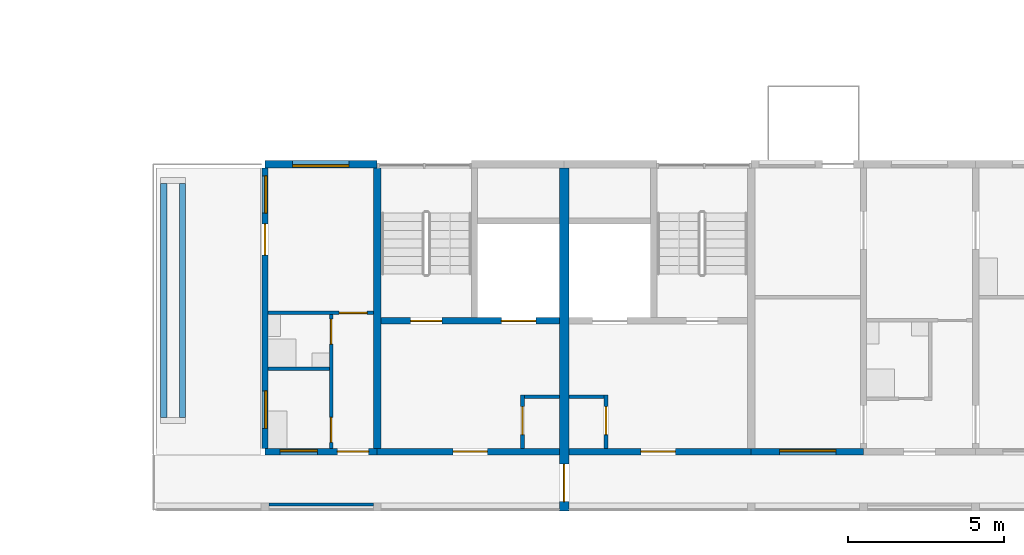
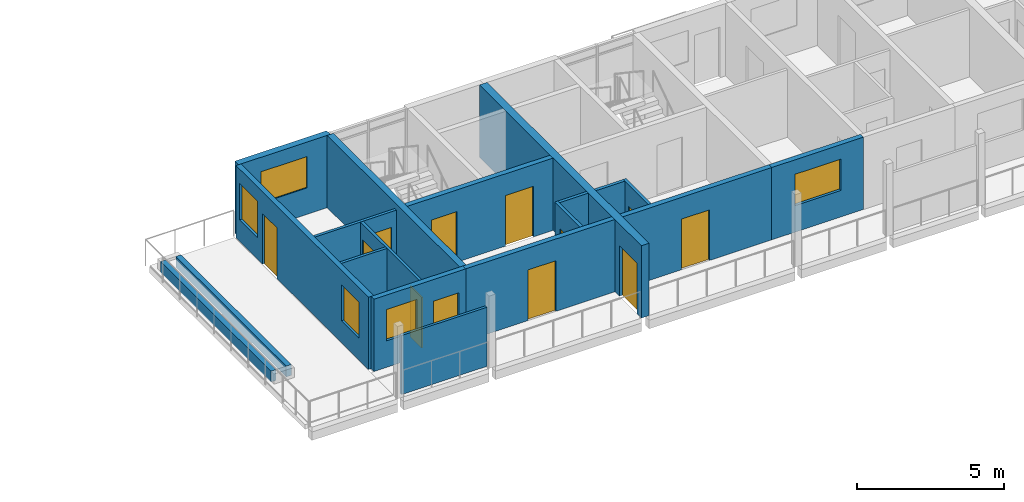
# One storey, part 40 of 78: 19 walls, 12 doors, 5 windows, 17 openings.
"""IFC4 building model written with IfcOpenShell, lengths in metres."""

from ifc_helpers import new_model, si_unit, direction, frame, frame_2d, origin, place, context, subcontext, project, spatial, rectangle, extrude, material, layer, layer_set, type_object, element, fill, save


model = new_model("IFC4")

# Units and contexts
model_context = context("Model", 3, precision=1e-05, world=origin(), true_north=direction((0.0, 1.0)))
body_context = subcontext(model_context, "Body", "Model", "MODEL_VIEW")
ifc_project = project(units=[si_unit("LENGTHUNIT", "METRE"), si_unit("AREAUNIT", "SQUARE_METRE"), si_unit("VOLUMEUNIT", "CUBIC_METRE"), si_unit("PLANEANGLEUNIT", "RADIAN"), si_unit("MASSUNIT", "GRAM", prefix="KILO")], contexts=[model_context])

# Site, building, storey
site_placement = place(None, origin())
site = spatial("IfcSite", under=ifc_project, at=site_placement, CompositionType="ELEMENT")
building_placement = place(site_placement, origin())
building = spatial("IfcBuilding", under=site, at=building_placement, Name="Ridgestep Commons", CompositionType="ELEMENT")
storey_placement = place(building_placement, frame((0.0, 0.0, 30.0)))
storey = spatial("IfcBuildingStorey", under=building, at=storey_placement, Name="L10", CompositionType="ELEMENT", Elevation=30.0)

# Wall
ifc_material_1 = material(Name="Concrete C30/37", Category="concrete")
ifc_layer_1 = layer(ifc_material_1, 0.25)
ifc_layer_set_1 = layer_set([ifc_layer_1], Name="Core cross wall 250")
wall_type_1 = type_object("IfcWallType", Name="Core cross wall 250", PredefinedType="SHEAR", material=ifc_layer_set_1)
wall_1_placement = place(storey_placement, frame((157.60009765625, 13.75, 0.0), z_axis=(0.0, 0.0, 1.0), x_axis=(0.0, 1.0, 0.0)))
element("IfcWall", 1, at=wall_1_placement, inside=storey, type_object=wall_type_1, Name="Cross wall D-10-1576", PredefinedType="SHEAR", context=body_context, shape_type="SweptSolid", body=[
    extrude(rectangle(XDim=9.0, YDim=0.25, at=frame_2d((4.5, 0.0))), origin(), (0.0, 0.0, 1.0), 3.0),
])

# Wall, opening, door
ifc_material_2 = material(Name="Concrete C30/37", Category="concrete")
ifc_layer_2 = layer(ifc_material_2, 0.199951171875)
ifc_layer_set_2 = layer_set([ifc_layer_2], Name="Core south wall 200")
wall_type_2 = type_object("IfcWallType", Name="Core south wall 200", PredefinedType="SHEAR", material=ifc_layer_set_2)
wall_2_placement = place(storey_placement, frame((157.60009765625, 13.64990234375, 0.0), z_axis=(0.0, 0.0, 1.0), x_axis=(1.0, 0.0, 0.0)))
wall_2 = element("IfcWall", 2, at=wall_2_placement, inside=storey, type_object=wall_type_2, Name="Core south wall D1C L10", PredefinedType="SHEAR", context=body_context, shape_type="SweptSolid", body=[
    extrude(rectangle(XDim=5.849853515625, YDim=0.199951171875, at=frame_2d((2.9248046875, 0.0))), origin(), (0.0, 0.0, 1.0), 3.0),
])
opening_1_placement = place(wall_2_placement, frame((2.4375, 0.0, 0.0)))
opening_1 = element("IfcOpeningElement", 3, at=opening_1_placement, cuts=wall_2, Name="Opening D1C/10/1", PredefinedType="OPENING", context=body_context, shape_type="SweptSolid", body=[
    extrude(rectangle(XDim=1.10009765625, YDim=2.10009765625, at=frame_2d((0.550048828125, 1.050048828125))), frame((0.0, 0.10986328125, 0.0), z_axis=(0.0, -1.0, 0.0), x_axis=(1.0, 0.0, 0.0)), (0.0, 0.0, 1.0), 0.219970703125),
])
ifc_material_3 = material(Name="Steel fire door", Category="steel")
door_type_1 = type_object("IfcDoorType", Name="Lobby door 1100 x 2100 FD60", OperationType="NOTDEFINED", PredefinedType="DOOR", material=ifc_material_3)
door_1_placement = place(opening_1_placement, origin())
door_1 = element("IfcDoor", 4, at=door_1_placement, inside=storey, type_object=door_type_1, Name="Lobby door D1C/10/1", OperationType="SINGLE_SWING_LEFT", OverallHeight=2.10009765625, OverallWidth=1.10009765625, PredefinedType="DOOR", context=body_context, shape_type="SweptSolid", body=[
    extrude(rectangle(XDim=1.10009765625, YDim=2.10009765625, at=frame_2d((0.550048828125, 1.050048828125))), frame((0.0, 0.02490234375, 0.0), z_axis=(0.0, -1.0, 0.0), x_axis=(1.0, 0.0, 0.0)), (0.0, 0.0, 1.0), 0.050048828125),
])
fill(opening_1, door_1)

wall_3_placement = place(storey_placement, frame((163.75, 13.64990234375, 0.0), z_axis=(0.0, 0.0, 1.0), x_axis=(1.0, 0.0, 0.0)))
wall_3 = element("IfcWall", 5, at=wall_3_placement, inside=storey, type_object=wall_type_2, Name="Core south wall D2C L10", PredefinedType="SHEAR", context=body_context, shape_type="SweptSolid", body=[
    extrude(rectangle(XDim=5.85009765625, YDim=0.199951171875, at=frame_2d((2.925048828125, 0.0))), origin(), (0.0, 0.0, 1.0), 3.0),
])
opening_2_placement = place(wall_3_placement, frame((2.3125, 0.0, 0.0)))
opening_2 = element("IfcOpeningElement", 6, at=opening_2_placement, cuts=wall_3, Name="Opening D2C/10/1", PredefinedType="OPENING", context=body_context, shape_type="SweptSolid", body=[
    extrude(rectangle(XDim=1.10009765625, YDim=2.10009765625, at=frame_2d((0.550048828125, 1.050048828125))), frame((0.0, 0.10986328125, 0.0), z_axis=(0.0, -1.0, 0.0), x_axis=(1.0, 0.0, 0.0)), (0.0, 0.0, 1.0), 0.219970703125),
])
door_2_placement = place(opening_2_placement, origin())
door_2 = element("IfcDoor", 7, at=door_2_placement, inside=storey, type_object=door_type_1, Name="Lobby door D2C/10/1", OperationType="SINGLE_SWING_LEFT", OverallHeight=2.10009765625, OverallWidth=1.10009765625, PredefinedType="DOOR", context=body_context, shape_type="SweptSolid", body=[
    extrude(rectangle(XDim=1.10009765625, YDim=2.10009765625, at=frame_2d((0.550048828125, 1.050048828125))), frame((0.0, 0.02490234375, 0.0), z_axis=(0.0, -1.0, 0.0), x_axis=(1.0, 0.0, 0.0)), (0.0, 0.0, 1.0), 0.050048828125),
])
fill(opening_2, door_2)

ifc_material_4 = material(Name="Concrete C30/37", Category="concrete")
ifc_layer_3 = layer(ifc_material_4, 0.1201171875)
ifc_layer_set_3 = layer_set([ifc_layer_3], Name="Core wall 120")
wall_type_3 = type_object("IfcWallType", Name="Core wall 120", PredefinedType="SHEAR", material=ifc_layer_set_3)
wall_4_placement = place(storey_placement, frame((162.260009765625, 13.75, 0.0), z_axis=(0.0, 0.0, 1.0), x_axis=(0.0, 1.0, 0.0)))
wall_4 = element("IfcWall", 8, at=wall_4_placement, inside=storey, type_object=wall_type_3, Name="Core riser w wall D1C L10", PredefinedType="SHEAR", context=body_context, shape_type="SweptSolid", body=[
    extrude(rectangle(XDim=1.719970703125, YDim=0.1201171875, at=frame_2d((0.85986328125, 0.0))), origin(), (0.0, 0.0, 1.0), 3.0),
])
opening_3_placement = place(wall_4_placement, frame((0.449951171875, 0.0, 0.0)))
opening_3 = element("IfcOpeningElement", 9, at=opening_3_placement, cuts=wall_4, Name="Opening D1C/10/4", PredefinedType="OPENING", context=body_context, shape_type="SweptSolid", body=[
    extrude(rectangle(XDim=0.89990234375, YDim=2.10009765625, at=frame_2d((0.449951171875, 1.050048828125))), frame((0.0, 0.070068359375, 0.0), z_axis=(0.0, -1.0, 0.0), x_axis=(1.0, 0.0, 0.0)), (0.0, 0.0, 1.0), 0.14013671875),
])
ifc_material_5 = material(Name="Steel fire door", Category="steel")
door_type_2 = type_object("IfcDoorType", Name="Riser door 900 x 2100 FD60", OperationType="NOTDEFINED", PredefinedType="DOOR", material=ifc_material_5)
door_3_placement = place(opening_3_placement, origin())
door_3 = element("IfcDoor", 10, at=door_3_placement, inside=storey, type_object=door_type_2, Name="Riser door D1C/10/4", OperationType="SINGLE_SWING_LEFT", OverallHeight=2.10009765625, OverallWidth=0.89990234375, PredefinedType="DOOR", context=body_context, shape_type="SweptSolid", body=[
    extrude(rectangle(XDim=0.89990234375, YDim=2.10009765625, at=frame_2d((0.449951171875, 1.050048828125))), frame((0.0, 0.02490234375, 0.0), z_axis=(0.0, -1.0, 0.0), x_axis=(1.0, 0.0, 0.0)), (0.0, 0.0, 1.0), 0.050048828125),
])
fill(opening_3, door_3)

# Wall
wall_5_placement = place(storey_placement, frame((162.320068359375, 15.409912109375, 0.0), z_axis=(0.0, 0.0, 1.0), x_axis=(1.0, 0.0, 0.0)))
element("IfcWall", 11, at=wall_5_placement, inside=storey, type_object=wall_type_3, Name="Core riser n wall D1C L10", PredefinedType="SHEAR", context=body_context, shape_type="SweptSolid", body=[
    extrude(rectangle(XDim=1.1298828125, YDim=0.1201171875, at=frame_2d((0.56494140625, 0.0))), origin(), (0.0, 0.0, 1.0), 3.0),
])

# Wall, opening, door
wall_6_placement = place(storey_placement, frame((164.93994140625, 13.75, 0.0), z_axis=(0.0, 0.0, 1.0), x_axis=(0.0, 1.0, 0.0)))
wall_6 = element("IfcWall", 12, at=wall_6_placement, inside=storey, type_object=wall_type_3, Name="Core riser w wall D2C L10", PredefinedType="SHEAR", context=body_context, shape_type="SweptSolid", body=[
    extrude(rectangle(XDim=1.719970703125, YDim=0.1201171875, at=frame_2d((0.85986328125, 0.0))), origin(), (0.0, 0.0, 1.0), 3.0),
])
opening_4_placement = place(wall_6_placement, frame((0.449951171875, 0.0, 0.0)))
opening_4 = element("IfcOpeningElement", 13, at=opening_4_placement, cuts=wall_6, Name="Opening D2C/10/4", PredefinedType="OPENING", context=body_context, shape_type="SweptSolid", body=[
    extrude(rectangle(XDim=0.89990234375, YDim=2.10009765625, at=frame_2d((0.449951171875, 1.050048828125))), frame((0.0, 0.070068359375, 0.0), z_axis=(0.0, -1.0, 0.0), x_axis=(1.0, 0.0, 0.0)), (0.0, 0.0, 1.0), 0.14013671875),
])
door_4_placement = place(opening_4_placement, origin())
door_4 = element("IfcDoor", 14, at=door_4_placement, inside=storey, type_object=door_type_2, Name="Riser door D2C/10/4", OperationType="SINGLE_SWING_RIGHT", OverallHeight=2.10009765625, OverallWidth=0.89990234375, PredefinedType="DOOR", context=body_context, shape_type="SweptSolid", body=[
    extrude(rectangle(XDim=0.89990234375, YDim=2.10009765625, at=frame_2d((0.449951171875, 1.050048828125))), frame((0.0, 0.02490234375, 0.0), z_axis=(0.0, -1.0, 0.0), x_axis=(1.0, 0.0, 0.0)), (0.0, 0.0, 1.0), 0.050048828125),
])
fill(opening_4, door_4)

# Wall
wall_7_placement = place(storey_placement, frame((163.75, 15.409912109375, 0.0), z_axis=(0.0, 0.0, 1.0), x_axis=(1.0, 0.0, 0.0)))
element("IfcWall", 15, at=wall_7_placement, inside=storey, type_object=wall_type_3, Name="Core riser n wall D2C L10", PredefinedType="SHEAR", context=body_context, shape_type="SweptSolid", body=[
    extrude(rectangle(XDim=1.1298828125, YDim=0.1201171875, at=frame_2d((0.56494140625, 0.0))), origin(), (0.0, 0.0, 1.0), 3.0),
])

# Wall, openings, doors
ifc_material_6 = material(Name="Concrete C30/37", Category="concrete")
ifc_layer_4 = layer(ifc_material_6, 0.199951171875)
ifc_layer_set_4 = layer_set([ifc_layer_4], Name="Core wall 200")
wall_type_4 = type_object("IfcWallType", Name="Core wall 200", PredefinedType="SHEAR", material=ifc_layer_set_4)
wall_8_placement = place(storey_placement, frame((157.72509765625, 17.85009765625, 0.0), z_axis=(0.0, 0.0, 1.0), x_axis=(1.0, 0.0, 0.0)))
wall_8 = element("IfcWall", 16, at=wall_8_placement, inside=storey, type_object=wall_type_4, Name="Core lobby wall D1C L10", PredefinedType="SHEAR", context=body_context, shape_type="SweptSolid", body=[
    extrude(rectangle(XDim=5.724853515625, YDim=0.199951171875, at=frame_2d((2.8623046875, 0.0))), origin(), (0.0, 0.0, 1.0), 3.0),
])
opening_5_placement = place(wall_8_placement, frame((0.949951171875, 0.0, 0.0)))
opening_5 = element("IfcOpeningElement", 17, at=opening_5_placement, cuts=wall_8, Name="Opening D1C/10/2", PredefinedType="OPENING", context=body_context, shape_type="SweptSolid", body=[
    extrude(rectangle(XDim=1.0, YDim=2.10009765625, at=frame_2d((0.5, 1.050048828125))), frame((0.0, 0.10986328125, 0.0), z_axis=(0.0, -1.0, 0.0), x_axis=(1.0, 0.0, 0.0)), (0.0, 0.0, 1.0), 0.219970703125),
])
opening_6_placement = place(wall_8_placement, frame((3.862548828125, 0.0, 0.0)))
opening_6 = element("IfcOpeningElement", 18, at=opening_6_placement, cuts=wall_8, Name="Opening D1C/10/3", PredefinedType="OPENING", context=body_context, shape_type="SweptSolid", body=[
    extrude(rectangle(XDim=1.10009765625, YDim=2.10009765625, at=frame_2d((0.550048828125, 1.050048828125))), frame((0.0, 0.10986328125, 0.0), z_axis=(0.0, -1.0, 0.0), x_axis=(1.0, 0.0, 0.0)), (0.0, 0.0, 1.0), 0.219970703125),
])
ifc_material_7 = material(Name="Stainless steel", Category="steel")
door_type_3 = type_object("IfcDoorType", Name="Lift landing door 1100 x 2100 FD60", OperationType="DOUBLE_DOOR_SLIDING", PredefinedType="DOOR", material=ifc_material_7)
door_5_placement = place(opening_6_placement, origin())
door_5 = element("IfcDoor", 19, at=door_5_placement, inside=storey, type_object=door_type_3, Name="Landing door LD D1C L10", OperationType="DOUBLE_DOOR_SLIDING", OverallHeight=2.10009765625, OverallWidth=1.10009765625, PredefinedType="DOOR", context=body_context, shape_type="SweptSolid", body=[
    extrude(rectangle(XDim=1.10009765625, YDim=2.10009765625, at=frame_2d((0.550048828125, 1.050048828125))), frame((0.0, 0.02490234375, 0.0), z_axis=(0.0, -1.0, 0.0), x_axis=(1.0, 0.0, 0.0)), (0.0, 0.0, 1.0), 0.050048828125),
])
fill(opening_6, door_5)
ifc_material_8 = material(Name="Steel fire door", Category="steel")
door_type_4 = type_object("IfcDoorType", Name="Stair door 1000 x 2100 FD60", OperationType="NOTDEFINED", PredefinedType="DOOR", material=ifc_material_8)
door_6_placement = place(opening_5_placement, origin())
door_6 = element("IfcDoor", 20, at=door_6_placement, inside=storey, type_object=door_type_4, Name="Stair door D1C/10/2", OperationType="SINGLE_SWING_RIGHT", OverallHeight=2.10009765625, OverallWidth=1.0, PredefinedType="DOOR", context=body_context, shape_type="SweptSolid", body=[
    extrude(rectangle(XDim=1.0, YDim=2.10009765625, at=frame_2d((0.5, 1.050048828125))), frame((0.0, 0.02490234375, 0.0), z_axis=(0.0, -1.0, 0.0), x_axis=(1.0, 0.0, 0.0)), (0.0, 0.0, 1.0), 0.050048828125),
])
fill(opening_5, door_6)

# Wall, opening, door
ifc_material_9 = material(Name="Precast concrete C40/50", Category="concrete")
ifc_layer_5 = layer(ifc_material_9, 0.300048828125)
ifc_layer_set_5 = layer_set([ifc_layer_5], Name="Division wall 300")
wall_type_5 = type_object("IfcWallType", Name="Division wall 300", PredefinedType="SHEAR", material=ifc_layer_set_5)
wall_9_placement = place(storey_placement, frame((163.60009765625, 11.75, 0.0), z_axis=(0.0, 0.0, 1.0), x_axis=(0.0, 1.0, 0.0)))
wall_9 = element("IfcWall", 21, at=wall_9_placement, inside=storey, type_object=wall_type_5, Name="Cross wall D-10-1636", PredefinedType="SHEAR", context=body_context, shape_type="SweptSolid", body=[
    extrude(rectangle(XDim=11.0, YDim=0.300048828125, at=frame_2d((5.5, 0.0))), origin(), (0.0, 0.0, 1.0), 3.0),
])
opening_7_placement = place(wall_9_placement, frame((0.300048828125, 0.0, 0.0)))
opening_7 = element("IfcOpeningElement", 22, at=opening_7_placement, cuts=wall_9, Name="Opening D/10/G1636", PredefinedType="OPENING", context=body_context, shape_type="SweptSolid", body=[
    extrude(rectangle(XDim=1.199951171875, YDim=2.10009765625, at=frame_2d((0.60009765625, 1.050048828125))), frame((0.0, 0.159912109375, 0.0), z_axis=(0.0, -1.0, 0.0), x_axis=(1.0, 0.0, 0.0)), (0.0, 0.0, 1.0), 0.320068359375),
])
ifc_material_10 = material(Name="Steel fire door", Category="steel")
door_type_5 = type_object("IfcDoorType", Name="Division fire door 1200 x 2100 EI 240", OperationType="DOUBLE_DOOR_SINGLE_SWING", PredefinedType="DOOR", material=ifc_material_10)
door_7_placement = place(opening_7_placement, origin())
door_7 = element("IfcDoor", 23, at=door_7_placement, inside=storey, type_object=door_type_5, Name="Division fire door D/10/G1636", OperationType="DOUBLE_DOOR_SINGLE_SWING", OverallHeight=2.10009765625, OverallWidth=1.199951171875, PredefinedType="DOOR", context=body_context, shape_type="SweptSolid", body=[
    extrude(rectangle(XDim=1.199951171875, YDim=2.10009765625, at=frame_2d((0.60009765625, 1.050048828125))), frame((0.0, 0.02490234375, 0.0), z_axis=(0.0, -1.0, 0.0), x_axis=(1.0, 0.0, 0.0)), (0.0, 0.0, 1.0), 0.050048828125),
])
fill(opening_7, door_7)

# Wall, openings, windows, door
ifc_material_11 = material(Name="Precast concrete C40/50", Category="concrete")
ifc_layer_6 = layer(ifc_material_11, 0.199951171875)
ifc_layer_set_6 = layer_set([ifc_layer_6], Name="Exposed cross wall 200")
wall_type_6 = type_object("IfcWallType", Name="Exposed cross wall 200", PredefinedType="SHEAR", material=ifc_layer_set_6)
wall_10_placement = place(storey_placement, frame((154.0, 13.75, 0.0), z_axis=(0.0, 0.0, 1.0), x_axis=(0.0, 1.0, 0.0)))
wall_10 = element("IfcWall", 24, at=wall_10_placement, inside=storey, type_object=wall_type_6, Name="Cross wall D-10-1540", PredefinedType="SHEAR", context=body_context, shape_type="SweptSolid", body=[
    extrude(rectangle(XDim=9.0, YDim=0.199951171875, at=frame_2d((4.5, 0.0))), origin(), (0.0, 0.0, 1.0), 3.0),
])
opening_8_placement = place(wall_10_placement, frame((0.64990234375, 0.0, 0.89990234375)))
opening_8 = element("IfcOpeningElement", 25, at=opening_8_placement, cuts=wall_10, Name="Opening W10", PredefinedType="OPENING", context=body_context, shape_type="SweptSolid", body=[
    extrude(rectangle(XDim=1.199951171875, YDim=1.5, at=frame_2d((0.60009765625, 0.75))), frame((0.0, 0.10986328125, 0.0), z_axis=(0.0, -1.0, 0.0), x_axis=(1.0, 0.0, 0.0)), (0.0, 0.0, 1.0), 0.219970703125),
])
opening_9_placement = place(wall_10_placement, frame((7.552490234375, 0.0, 0.89990234375)))
opening_9 = element("IfcOpeningElement", 26, at=opening_9_placement, cuts=wall_10, Name="Opening W10", PredefinedType="OPENING", context=body_context, shape_type="SweptSolid", body=[
    extrude(rectangle(XDim=1.199951171875, YDim=1.5, at=frame_2d((0.60009765625, 0.75))), frame((0.0, 0.10986328125, 0.0), z_axis=(0.0, -1.0, 0.0), x_axis=(1.0, 0.0, 0.0)), (0.0, 0.0, 1.0), 0.219970703125),
])
opening_10_placement = place(wall_10_placement, frame((6.205078125, 0.0, 0.0)))
opening_10 = element("IfcOpeningElement", 27, at=opening_10_placement, cuts=wall_10, Name="Opening D1-10a/5", PredefinedType="OPENING", context=body_context, shape_type="SweptSolid", body=[
    extrude(rectangle(XDim=1.0, YDim=2.10009765625, at=frame_2d((0.5, 1.050048828125))), frame((0.0, 0.10986328125, 0.0), z_axis=(0.0, -1.0, 0.0), x_axis=(1.0, 0.0, 0.0)), (0.0, 0.0, 1.0), 0.219970703125),
])
ifc_material_12 = material(Name="Aluminium 6063-T6 and glass", Category="aluminium")
window_type_1 = type_object("IfcWindowType", Name="Flat window 1200 x 1500", PartitioningType="SINGLE_PANEL", PredefinedType="WINDOW", material=ifc_material_12)
window_1_placement = place(opening_8_placement, origin())
window_1 = element("IfcWindow", 28, at=window_1_placement, inside=storey, type_object=window_type_1, Name="Window D1-10a 3", OverallHeight=1.5, OverallWidth=1.199951171875, PartitioningType="SINGLE_PANEL", PredefinedType="WINDOW", context=body_context, shape_type="SweptSolid", body=[
    extrude(rectangle(XDim=1.199951171875, YDim=1.5, at=frame_2d((0.60009765625, 0.75))), frame((0.0, 0.0, 0.0), z_axis=(0.0, -1.0, 0.0), x_axis=(1.0, 0.0, 0.0)), (0.0, 0.0, 1.0), 0.06005859375),
])
fill(opening_8, window_1)
window_2_placement = place(opening_9_placement, origin())
window_2 = element("IfcWindow", 29, at=window_2_placement, inside=storey, type_object=window_type_1, Name="Window D1-10a 4", OverallHeight=1.5, OverallWidth=1.199951171875, PartitioningType="SINGLE_PANEL", PredefinedType="WINDOW", context=body_context, shape_type="SweptSolid", body=[
    extrude(rectangle(XDim=1.199951171875, YDim=1.5, at=frame_2d((0.60009765625, 0.75))), frame((0.0, 0.0, 0.0), z_axis=(0.0, -1.0, 0.0), x_axis=(1.0, 0.0, 0.0)), (0.0, 0.0, 1.0), 0.06005859375),
])
fill(opening_9, window_2)
ifc_material_13 = material(Name="Aluminium and glass", Category="aluminium")
door_type_6 = type_object("IfcDoorType", Name="Terrace door 1000 x 2100", OperationType="NOTDEFINED", PredefinedType="DOOR", material=ifc_material_13)
door_8_placement = place(opening_10_placement, origin())
door_8 = element("IfcDoor", 30, at=door_8_placement, inside=storey, type_object=door_type_6, Name="Terrace door D1-10a/5", OperationType="SINGLE_SWING_RIGHT", OverallHeight=2.10009765625, OverallWidth=1.0, PredefinedType="DOOR", context=body_context, shape_type="SweptSolid", body=[
    extrude(rectangle(XDim=1.0, YDim=2.10009765625, at=frame_2d((0.5, 1.050048828125))), frame((0.0, 0.02490234375, 0.0), z_axis=(0.0, -1.0, 0.0), x_axis=(1.0, 0.0, 0.0)), (0.0, 0.0, 1.0), 0.050048828125),
])
fill(opening_10, door_8)

# Wall, opening, window
ifc_material_14 = material(Name="Precast concrete C40/50", Category="concrete")
ifc_layer_7 = layer(ifc_material_14, 0.25)
ifc_layer_set_7 = layer_set([ifc_layer_7], Name="North facade panel 250")
wall_type_7 = type_object("IfcWallType", Name="North facade panel 250", PredefinedType="SOLIDWALL", material=ifc_layer_set_7)
wall_11_placement = place(storey_placement, frame((154.0, 22.875, 0.0), z_axis=(0.0, 0.0, 1.0), x_axis=(1.0, 0.0, 0.0)))
wall_11 = element("IfcWall", 31, at=wall_11_placement, inside=storey, type_object=wall_type_7, Name="North panel D1T3 L10", PredefinedType="SOLIDWALL", context=body_context, shape_type="SweptSolid", body=[
    extrude(rectangle(XDim=3.60009765625, YDim=0.25, at=frame_2d((1.800048828125, 0.0))), origin(), (0.0, 0.0, 1.0), 3.0),
])
opening_11_placement = place(wall_11_placement, frame((0.887451171875, 0.0, 1.10009765625)))
opening_11 = element("IfcOpeningElement", 32, at=opening_11_placement, cuts=wall_11, Name="Opening W18", PredefinedType="OPENING", context=body_context, shape_type="SweptSolid", body=[
    extrude(rectangle(XDim=1.800048828125, YDim=1.300048828125, at=frame_2d((0.89990234375, 0.64990234375))), frame((0.0, 0.135009765625, 0.0), z_axis=(0.0, -1.0, 0.0), x_axis=(1.0, 0.0, 0.0)), (0.0, 0.0, 1.0), 0.27001953125),
])
ifc_material_15 = material(Name="Aluminium 6063-T6 and glass", Category="aluminium")
window_type_2 = type_object("IfcWindowType", Name="Flat window 1800 x 1300", PartitioningType="DOUBLE_PANEL_VERTICAL", PredefinedType="WINDOW", material=ifc_material_15)
window_3_placement = place(opening_11_placement, origin())
window_3 = element("IfcWindow", 33, at=window_3_placement, inside=storey, type_object=window_type_2, Name="Window D1-10a 2", OverallHeight=1.300048828125, OverallWidth=1.800048828125, PartitioningType="SINGLE_PANEL", PredefinedType="WINDOW", context=body_context, shape_type="SweptSolid", body=[
    extrude(rectangle(XDim=1.800048828125, YDim=1.300048828125, at=frame_2d((0.89990234375, 0.64990234375))), frame((0.0, -0.02490234375, 0.0), z_axis=(0.0, -1.0, 0.0), x_axis=(1.0, 0.0, 0.0)), (0.0, 0.0, 1.0), 0.06005859375),
])
fill(opening_11, window_3)

# Wall
ifc_material_16 = material(Name="Common brick 110 mm", Category="masonry")
ifc_layer_8 = layer(ifc_material_16, 0.110107421875)
ifc_layer_set_8 = layer_set([ifc_layer_8], Name="Partition 110")
wall_type_8 = type_object("IfcWallType", Name="Partition 110", PredefinedType="PARTITIONING", material=ifc_layer_set_8)
wall_12_placement = place(storey_placement, frame((154.10009765625, 16.304931640625, 0.0), z_axis=(0.0, 0.0, 1.0), x_axis=(1.0, 0.0, 0.0)))
element("IfcWall", 34, at=wall_12_placement, inside=storey, type_object=wall_type_8, Name="Partition D1-10a", PredefinedType="PARTITIONING", context=body_context, shape_type="SweptSolid", body=[
    extrude(rectangle(XDim=1.96484375, YDim=0.110107421875, at=frame_2d((0.982421875, 0.0))), origin(), (0.0, 0.0, 1.0), 2.75),
])

# Wall, openings, doors
wall_13_placement = place(storey_placement, frame((156.1201171875, 13.75, 0.0), z_axis=(0.0, 0.0, 1.0), x_axis=(0.0, 1.0, 0.0)))
wall_13 = element("IfcWall", 35, at=wall_13_placement, inside=storey, type_object=wall_type_8, Name="Partition D1-10a", PredefinedType="PARTITIONING", context=body_context, shape_type="SweptSolid", body=[
    extrude(rectangle(XDim=4.300048828125, YDim=0.110107421875, at=frame_2d((2.14990234375, 0.0))), origin(), (0.0, 0.0, 1.0), 2.75),
])
opening_12_placement = place(wall_13_placement, frame((0.199951171875, 0.0, 0.0)))
opening_12 = element("IfcOpeningElement", 36, at=opening_12_placement, cuts=wall_13, Name="Opening D1-10a/2", PredefinedType="OPENING", context=body_context, shape_type="SweptSolid", body=[
    extrude(rectangle(XDim=0.800048828125, YDim=2.10009765625, at=frame_2d((0.39990234375, 1.050048828125))), frame((0.0, 0.06494140625, 0.0), z_axis=(0.0, -1.0, 0.0), x_axis=(1.0, 0.0, 0.0)), (0.0, 0.0, 1.0), 0.130126953125),
])
opening_13_placement = place(wall_13_placement, frame((3.35009765625, 0.0, 0.0)))
opening_13 = element("IfcOpeningElement", 37, at=opening_13_placement, cuts=wall_13, Name="Opening D1-10a/3", PredefinedType="OPENING", context=body_context, shape_type="SweptSolid", body=[
    extrude(rectangle(XDim=0.800048828125, YDim=2.10009765625, at=frame_2d((0.39990234375, 1.050048828125))), frame((0.0, 0.06494140625, 0.0), z_axis=(0.0, -1.0, 0.0), x_axis=(1.0, 0.0, 0.0)), (0.0, 0.0, 1.0), 0.130126953125),
])
ifc_material_17 = material(Name="Timber door leaf", Category="wood")
door_type_7 = type_object("IfcDoorType", Name="Internal door 800 x 2100", OperationType="NOTDEFINED", PredefinedType="DOOR", material=ifc_material_17)
door_9_placement = place(opening_12_placement, origin())
door_9 = element("IfcDoor", 38, at=door_9_placement, inside=storey, type_object=door_type_7, Name="Internal door D1-10a/2", OperationType="SINGLE_SWING_LEFT", OverallHeight=2.10009765625, OverallWidth=0.800048828125, PredefinedType="DOOR", context=body_context, shape_type="SweptSolid", body=[
    extrude(rectangle(XDim=0.800048828125, YDim=2.10009765625, at=frame_2d((0.39990234375, 1.050048828125))), frame((0.0, 0.02490234375, 0.0), z_axis=(0.0, -1.0, 0.0), x_axis=(1.0, 0.0, 0.0)), (0.0, 0.0, 1.0), 0.050048828125),
])
fill(opening_12, door_9)
door_10_placement = place(opening_13_placement, origin())
door_10 = element("IfcDoor", 39, at=door_10_placement, inside=storey, type_object=door_type_7, Name="Internal door D1-10a/3", OperationType="SINGLE_SWING_RIGHT", OverallHeight=2.10009765625, OverallWidth=0.800048828125, PredefinedType="DOOR", context=body_context, shape_type="SweptSolid", body=[
    extrude(rectangle(XDim=0.800048828125, YDim=2.10009765625, at=frame_2d((0.39990234375, 1.050048828125))), frame((0.0, 0.02490234375, 0.0), z_axis=(0.0, -1.0, 0.0), x_axis=(1.0, 0.0, 0.0)), (0.0, 0.0, 1.0), 0.050048828125),
])
fill(opening_13, door_10)

# Wall, opening, door
wall_14_placement = place(storey_placement, frame((154.10009765625, 18.10498046875, 0.0), z_axis=(0.0, 0.0, 1.0), x_axis=(1.0, 0.0, 0.0)))
wall_14 = element("IfcWall", 40, at=wall_14_placement, inside=storey, type_object=wall_type_8, Name="Partition D1-10a", PredefinedType="PARTITIONING", context=body_context, shape_type="SweptSolid", body=[
    extrude(rectangle(XDim=3.375, YDim=0.110107421875, at=frame_2d((1.6875, 0.0))), origin(), (0.0, 0.0, 1.0), 2.75),
])
opening_14_placement = place(wall_14_placement, frame((2.27490234375, 0.0, 0.0)))
opening_14 = element("IfcOpeningElement", 41, at=opening_14_placement, cuts=wall_14, Name="Opening D1-10a/4", PredefinedType="OPENING", context=body_context, shape_type="SweptSolid", body=[
    extrude(rectangle(XDim=0.89990234375, YDim=2.10009765625, at=frame_2d((0.449951171875, 1.050048828125))), frame((0.0, 0.06494140625, 0.0), z_axis=(0.0, -1.0, 0.0), x_axis=(1.0, 0.0, 0.0)), (0.0, 0.0, 1.0), 0.130126953125),
])
ifc_material_18 = material(Name="Timber door leaf", Category="wood")
door_type_8 = type_object("IfcDoorType", Name="Internal door 900 x 2100", OperationType="NOTDEFINED", PredefinedType="DOOR", material=ifc_material_18)
door_11_placement = place(opening_14_placement, origin())
door_11 = element("IfcDoor", 42, at=door_11_placement, inside=storey, type_object=door_type_8, Name="Internal door D1-10a/4", OperationType="SINGLE_SWING_LEFT", OverallHeight=2.10009765625, OverallWidth=0.89990234375, PredefinedType="DOOR", context=body_context, shape_type="SweptSolid", body=[
    extrude(rectangle(XDim=0.89990234375, YDim=2.10009765625, at=frame_2d((0.449951171875, 1.050048828125))), frame((0.0, 0.02490234375, 0.0), z_axis=(0.0, -1.0, 0.0), x_axis=(1.0, 0.0, 0.0)), (0.0, 0.0, 1.0), 0.050048828125),
])
fill(opening_14, door_11)

# Walls
ifc_material_19 = material(Name="Precast concrete C30/37", Category="concrete")
ifc_layer_9 = layer(ifc_material_19, 0.10009765625)
ifc_layer_set_9 = layer_set([ifc_layer_9], Name="Perforated gallery screen 3350 x 2450 x 100")
wall_type_9 = type_object("IfcWallType", Name="Perforated gallery screen 3350 x 2450 x 100", PredefinedType="SOLIDWALL", material=ifc_layer_set_9)
wall_15_placement = place(storey_placement, frame((154.125, 11.949951171875, 0.0), z_axis=(0.0, 0.0, 1.0), x_axis=(1.0, 0.0, 0.0)))
element("IfcWall", 43, at=wall_15_placement, inside=storey, type_object=wall_type_9, Name="Gallery screen D1T3 10", PredefinedType="SOLIDWALL", context=body_context, shape_type="SweptSolid", body=[
    extrude(rectangle(XDim=3.35009765625, YDim=0.10009765625, at=frame_2d((1.675048828125, 0.0))), origin(), (0.0, 0.0, 1.0), 2.449951171875),
])
ifc_material_20 = material(Name="Facing brick", Category="masonry")
ifc_layer_10 = layer(ifc_material_20, 0.199951171875)
ifc_layer_set_10 = layer_set([ifc_layer_10], Name="Planter wall 200")
wall_type_10 = type_object("IfcWallType", Name="Planter wall 200", PredefinedType="SOLIDWALL", material=ifc_layer_set_10)
for number, where, z_axis, x_axis, name in (
    (44, (150.75, 14.75, 0.010009765625), (0.0, 0.0, 1.0), (0.0, 1.0, 0.0), "Planter wall D1R2W"),
    (45, (151.35009765625, 14.75, 0.010009765625), (0.0, 0.0, 1.0), (0.0, 1.0, 0.0), "Planter wall D1R2E"),
):
    element("IfcWall", number, at=place(storey_placement, frame(where, z_axis=z_axis, x_axis=x_axis)), inside=storey, type_object=wall_type_10, Name=name, PredefinedType="SOLIDWALL", context=body_context, shape_type="SweptSolid", body=[
        extrude(rectangle(XDim=7.5, YDim=0.199951171875, at=frame_2d((3.75, 0.0))), origin(), (0.0, 0.0, 1.0), 0.449951171875),
    ])

# Wall, openings, door, window
ifc_material_21 = material(Name="Precast concrete C40/50", Category="concrete")
ifc_layer_11 = layer(ifc_material_21, 0.199951171875)
ifc_layer_set_11 = layer_set([ifc_layer_11], Name="South facade panel 200")
wall_type_11 = type_object("IfcWallType", Name="South facade panel 200", PredefinedType="SOLIDWALL", material=ifc_layer_set_11)
wall_16_placement = place(storey_placement, frame((154.0, 13.64990234375, 0.0), z_axis=(0.0, 0.0, 1.0), x_axis=(1.0, 0.0, 0.0)))
wall_16 = element("IfcWall", 46, at=wall_16_placement, inside=storey, type_object=wall_type_11, Name="South panel D1T3 L10", PredefinedType="SOLIDWALL", context=body_context, shape_type="SweptSolid", body=[
    extrude(rectangle(XDim=3.60009765625, YDim=0.199951171875, at=frame_2d((1.800048828125, 0.0))), origin(), (0.0, 0.0, 1.0), 3.0),
])
opening_15_placement = place(wall_16_placement, frame((0.482421875, 0.0, 1.10009765625)))
opening_15 = element("IfcOpeningElement", 47, at=opening_15_placement, cuts=wall_16, Name="Opening W08", PredefinedType="OPENING", context=body_context, shape_type="SweptSolid", body=[
    extrude(rectangle(XDim=1.199951171875, YDim=1.300048828125, at=frame_2d((0.60009765625, 0.64990234375))), frame((0.0, 0.10986328125, 0.0), z_axis=(0.0, -1.0, 0.0), x_axis=(1.0, 0.0, 0.0)), (0.0, 0.0, 1.0), 0.219970703125),
])
opening_16_placement = place(wall_16_placement, frame((2.324951171875, 0.0, 0.0)))
opening_16 = element("IfcOpeningElement", 48, at=opening_16_placement, cuts=wall_16, Name="Opening D1-10a/1", PredefinedType="OPENING", context=body_context, shape_type="SweptSolid", body=[
    extrude(rectangle(XDim=1.0, YDim=2.10009765625, at=frame_2d((0.5, 1.050048828125))), frame((0.0, 0.10986328125, 0.0), z_axis=(0.0, -1.0, 0.0), x_axis=(1.0, 0.0, 0.0)), (0.0, 0.0, 1.0), 0.219970703125),
])
ifc_material_22 = material(Name="Timber door leaf", Category="wood")
door_type_9 = type_object("IfcDoorType", Name="Flat entrance door 1000 x 2100 FD30S", OperationType="NOTDEFINED", PredefinedType="DOOR", material=ifc_material_22)
door_12_placement = place(opening_16_placement, origin())
door_12 = element("IfcDoor", 49, at=door_12_placement, inside=storey, type_object=door_type_9, Name="Flat entrance door D1-10a/1", OperationType="SINGLE_SWING_RIGHT", OverallHeight=2.10009765625, OverallWidth=1.0, PredefinedType="DOOR", context=body_context, shape_type="SweptSolid", body=[
    extrude(rectangle(XDim=1.0, YDim=2.10009765625, at=frame_2d((0.5, 1.050048828125))), frame((0.0, 0.02490234375, 0.0), z_axis=(0.0, -1.0, 0.0), x_axis=(1.0, 0.0, 0.0)), (0.0, 0.0, 1.0), 0.050048828125),
])
fill(opening_16, door_12)
ifc_material_23 = material(Name="Aluminium 6063-T6 and glass", Category="aluminium")
window_type_3 = type_object("IfcWindowType", Name="Flat window 1200 x 1300", PartitioningType="SINGLE_PANEL", PredefinedType="WINDOW", material=ifc_material_23)
window_4_placement = place(opening_15_placement, origin())
window_4 = element("IfcWindow", 50, at=window_4_placement, inside=storey, type_object=window_type_3, Name="Window D1-10a 1", OverallHeight=1.300048828125, OverallWidth=1.199951171875, PartitioningType="SINGLE_PANEL", PredefinedType="WINDOW", context=body_context, shape_type="SweptSolid", body=[
    extrude(rectangle(XDim=1.199951171875, YDim=1.300048828125, at=frame_2d((0.60009765625, 0.64990234375))), frame((0.0, 0.06005859375, 0.0), z_axis=(0.0, -1.0, 0.0), x_axis=(1.0, 0.0, 0.0)), (0.0, 0.0, 1.0), 0.06005859375),
])
fill(opening_15, window_4)

# Wall, opening, window
wall_17_placement = place(storey_placement, frame((169.60009765625, 13.64990234375, 0.0), z_axis=(0.0, 0.0, 1.0), x_axis=(1.0, 0.0, 0.0)))
wall_17 = element("IfcWall", 51, at=wall_17_placement, inside=storey, type_object=wall_type_11, Name="South panel D2T3 L10", PredefinedType="SOLIDWALL", context=body_context, shape_type="SweptSolid", body=[
    extrude(rectangle(XDim=3.599853515625, YDim=0.199951171875, at=frame_2d((1.7998046875, 0.0))), origin(), (0.0, 0.0, 1.0), 3.0),
])
opening_17_placement = place(wall_17_placement, frame((0.91259765625, 0.0, 1.10009765625)))
opening_17 = element("IfcOpeningElement", 52, at=opening_17_placement, cuts=wall_17, Name="Opening W18", PredefinedType="OPENING", context=body_context, shape_type="SweptSolid", body=[
    extrude(rectangle(XDim=1.800048828125, YDim=1.300048828125, at=frame_2d((0.89990234375, 0.64990234375))), frame((0.0, 0.10986328125, 0.0), z_axis=(0.0, -1.0, 0.0), x_axis=(1.0, 0.0, 0.0)), (0.0, 0.0, 1.0), 0.219970703125),
])
window_5_placement = place(opening_17_placement, origin())
window_5 = element("IfcWindow", 53, at=window_5_placement, inside=storey, type_object=window_type_2, Name="Window D2-10a 1", OverallHeight=1.300048828125, OverallWidth=1.800048828125, PartitioningType="SINGLE_PANEL", PredefinedType="WINDOW", context=body_context, shape_type="SweptSolid", body=[
    extrude(rectangle(XDim=1.800048828125, YDim=1.300048828125, at=frame_2d((0.89990234375, 0.64990234375))), frame((0.0, 0.06005859375, 0.0), z_axis=(0.0, -1.0, 0.0), x_axis=(1.0, 0.0, 0.0)), (0.0, 0.0, 1.0), 0.06005859375),
])
fill(opening_17, window_5)

save(model, "model.ifc")
